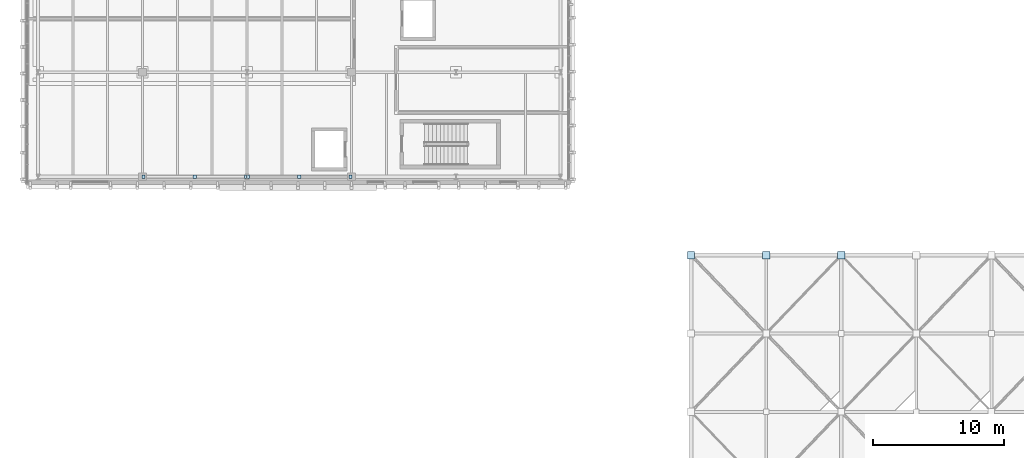
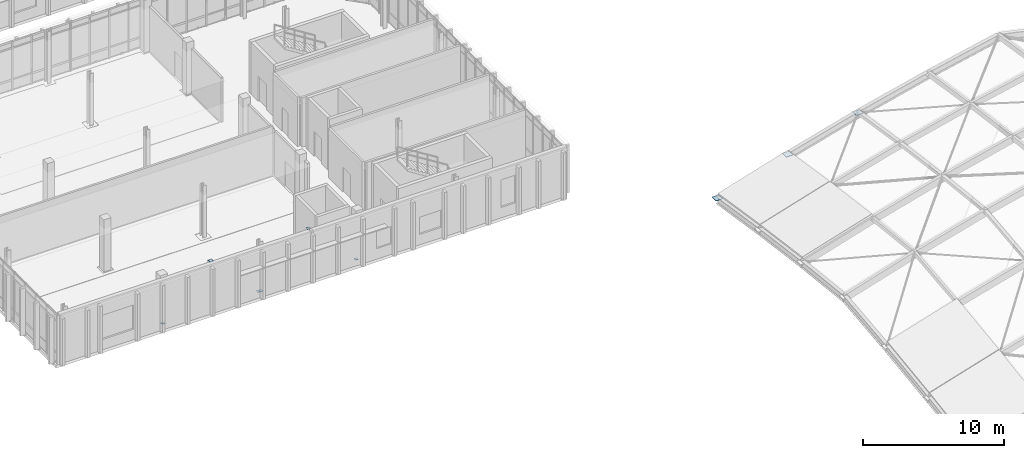
# One storey, part 38 of 62: 9 plates.
"""IFC4 building model written with IfcOpenShell, lengths in metres."""

from ifc_helpers import new_model, si_unit, direction, frame, origin, origin_2d, place, context, subcontext, project, spatial, rectangle, extrude, material, layer, layer_set, type_object, element, save


model = new_model("IFC4")

# Units and contexts
model_context = context("Model", 3, precision=1e-05, world=origin(), true_north=direction((0.0, 1.0)))
body_context = subcontext(model_context, "Body", "Model", "MODEL_VIEW")
ifc_project = project(units=[si_unit("LENGTHUNIT", "METRE"), si_unit("AREAUNIT", "SQUARE_METRE"), si_unit("VOLUMEUNIT", "CUBIC_METRE"), si_unit("PLANEANGLEUNIT", "RADIAN"), si_unit("MASSUNIT", "GRAM", prefix="KILO")], contexts=[model_context])

# Site, building, storey
site_placement = place(None, origin())
site = spatial("IfcSite", under=ifc_project, at=site_placement, CompositionType="ELEMENT")
building_placement = place(site_placement, origin())
building = spatial("IfcBuilding", under=site, at=building_placement, Name="Cymarion Research Institute", CompositionType="ELEMENT")
storey_placement = place(building_placement, frame((0.0, 0.0, 18.300048828125)))
storey = spatial("IfcBuildingStorey", under=building, at=storey_placement, Name="L04", CompositionType="ELEMENT", Elevation=18.300048828125)

# Plates
ifc_material = material(Name="Steel S355", Category="steel")
ifc_layer_1 = layer(ifc_material, 0.01806640625)
ifc_layer_set_1 = layer_set([ifc_layer_1], Name="Steel S355")
plate_type_1 = type_object("IfcPlateType", Name="STEEL NODE GUSSET PLATE CP01 18MM", PredefinedType="USERDEFINED", material=ifc_layer_set_1)
plate_placement = place(storey_placement, frame((18.60009765625, 47.5, 4.130859375), z_axis=(0.0, 0.0, 1.0), x_axis=(1.0, 0.0, 0.0)))
element("IfcPlate", 1, at=plate_placement, inside=storey, type_object=plate_type_1, Name="L04 V4 chevron apex gusset plate", ObjectType="GUSSET PLATE", PredefinedType="USERDEFINED", context=body_context, shape_type="SweptSolid", body=[
    extrude(rectangle(XDim=0.300048828125, YDim=0.300048828125, at=origin_2d()), origin(), (0.0, 0.0, 1.0), 0.01806640625),
])
ifc_layer_2 = layer(ifc_material, 0.011962890625)
ifc_layer_set_2 = layer_set([ifc_layer_2], Name="Steel S355")
plate_type_2 = type_object("IfcPlateType", Name="STEEL NODE GUSSET PLATE CP02 12MM", PredefinedType="USERDEFINED", material=ifc_layer_set_2)
for number, where, z_axis, x_axis, name in (
    (2, (14.6845703125, 47.5, 0.11376953125), (0.0, 0.0, 1.0), (1.0, 0.0, 0.0), "L04 V4 chevron base gusset plate #1"),
    (3, (22.515380859375, 47.5, 0.11376953125), (0.0, 0.0, 1.0), (1.0, 0.0, 0.0), "L04 V4 chevron base gusset plate #2"),
    (4, (26.60009765625, 47.5, 4.1337890625), (0.0, 0.0, 1.0), (1.0, 0.0, 0.0), "L04 V4 chevron apex gusset plate"),
    (5, (22.6845703125, 47.5, 0.11376953125), (0.0, 0.0, 1.0), (1.0, 0.0, 0.0), "L04 V4 chevron base gusset plate #1"),
    (6, (30.515380859375, 47.5, 0.11376953125), (0.0, 0.0, 1.0), (1.0, 0.0, 0.0), "L04 V4 chevron base gusset plate #2"),
):
    element("IfcPlate", number, at=place(storey_placement, frame(where, z_axis=z_axis, x_axis=x_axis)), inside=storey, type_object=plate_type_2, Name=name, ObjectType="GUSSET PLATE", PredefinedType="USERDEFINED", context=body_context, shape_type="SweptSolid", body=[
        extrude(rectangle(XDim=0.239990234375, YDim=0.239990234375, at=origin_2d()), origin(), (0.0, 0.0, 1.0), 0.011962890625),
    ])
ifc_layer_3 = layer(ifc_material, 0.035888671875)
ifc_layer_set_3 = layer_set([ifc_layer_3], Name="Steel S355")
plate_type_3 = type_object("IfcPlateType", Name="STEEL NODE GUSSET PLATE NP03 36MM", PredefinedType="USERDEFINED", material=ifc_layer_set_3)
for number, where, z_axis, x_axis, name in (
    (7, (56.60009765625, 41.5, -0.1201171875), (0.0, 0.0, 1.0), (1.0, 0.0, 0.0), "Gridshell bolted steel node gusset plate NP03 N1-7"),
    (8, (62.35009765625, 41.5, 1.64013671875), (0.0, 0.0, 1.0), (1.0, 0.0, 0.0), "Gridshell bolted steel node gusset plate NP03 N2-7"),
    (9, (68.10009765625, 41.5, 3.240234375), (0.0, 0.0, 1.0), (1.0, 0.0, 0.0), "Gridshell bolted steel node gusset plate NP03 N3-7"),
):
    element("IfcPlate", number, at=place(storey_placement, frame(where, z_axis=z_axis, x_axis=x_axis)), inside=storey, type_object=plate_type_3, Name=name, ObjectType="GUSSET PLATE", PredefinedType="USERDEFINED", context=body_context, shape_type="SweptSolid", body=[
        extrude(rectangle(XDim=0.56005859375, YDim=0.56005859375, at=origin_2d()), origin(), (0.0, 0.0, 1.0), 0.035888671875),
    ])

save(model, "model.ifc")
